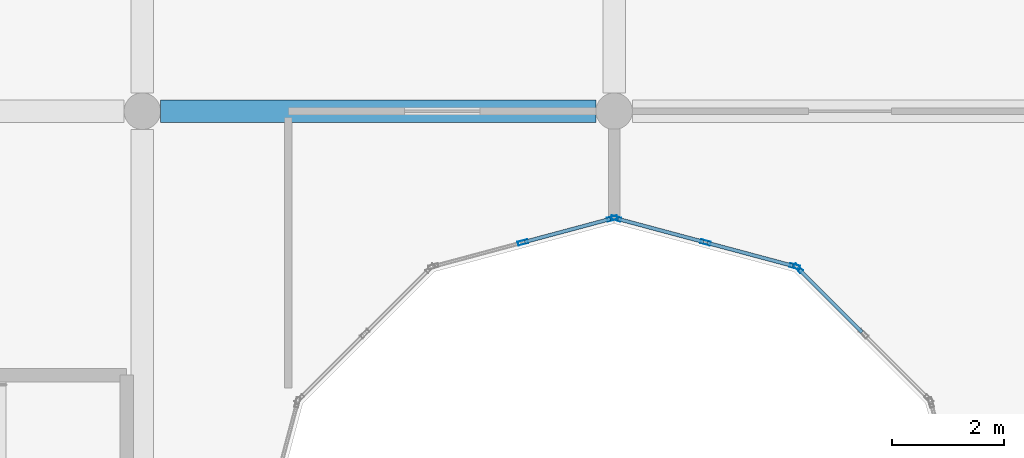
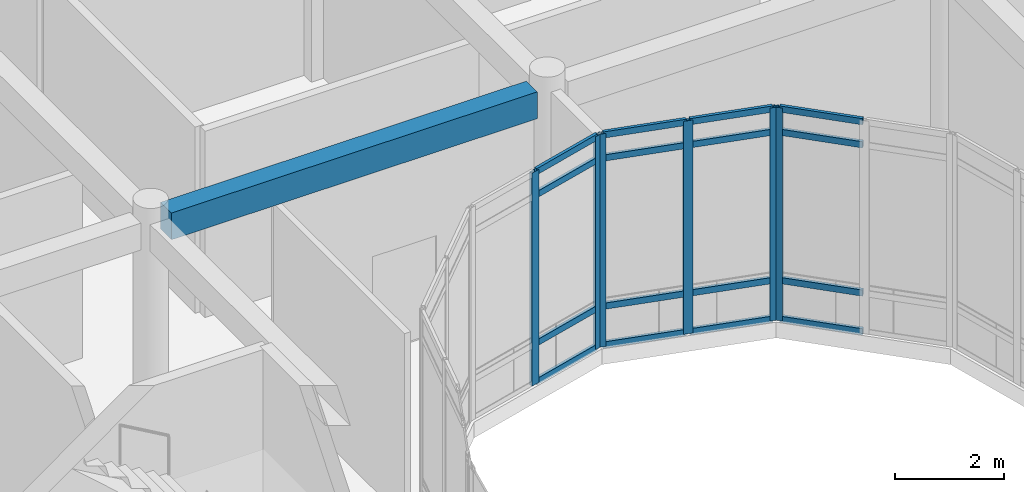
# One storey, part 53 of 134: 22 members, 1 beam, 3 elements without a shape of their own.
"""IFC4 building model written with IfcOpenShell, lengths in metres."""

from ifc_helpers import new_model, si_unit, direction, frame, origin, origin_2d, place, context, subcontext, project, spatial, rectangle, hollow_rectangle, extrude, material, layer, layer_set, material_profile, profile_set, type_object, element, aggregate, save


model = new_model("IFC4")

# Units and contexts
model_context = context("Model", 3, precision=1e-05, world=origin(), true_north=direction((0.0, 1.0)))
body_context = subcontext(model_context, "Body", "Model", "MODEL_VIEW")
ifc_project = project(units=[si_unit("LENGTHUNIT", "METRE"), si_unit("AREAUNIT", "SQUARE_METRE"), si_unit("VOLUMEUNIT", "CUBIC_METRE"), si_unit("PLANEANGLEUNIT", "RADIAN"), si_unit("MASSUNIT", "GRAM", prefix="KILO")], contexts=[model_context])

# Site, building, storey
site_placement = place(None, origin())
site = spatial("IfcSite", under=ifc_project, at=site_placement, CompositionType="ELEMENT")
building_placement = place(site_placement, origin())
building = spatial("IfcBuilding", under=site, at=building_placement, Name="Bramfleet General Hospital", CompositionType="ELEMENT")
storey_placement = place(building_placement, frame((0.0, 0.0, 9.300048828125)))
storey = spatial("IfcBuildingStorey", under=building, at=storey_placement, Name="L02", CompositionType="ELEMENT", Elevation=9.300048828125)

# Beam
ifc_material_1 = material(Name="Concrete C35/45", Category="concrete")
ifc_material_profile_1 = material_profile(ifc_material_1, rectangle(XDim=0.39990234375, YDim=0.60009765625, at=origin_2d()), Name="RC BM 600x400")
ifc_profile_set_1 = profile_set([ifc_material_profile_1], Name="Concrete C35/45")
beam_type = type_object("IfcBeamType", Name="BM-RC600", PredefinedType="BEAM", material=ifc_profile_set_1)
beam_placement = place(storey_placement, frame((109.52490234375, 75.60009765625, 4.47998046875), z_axis=(1.0, 0.0, 0.0), x_axis=(0.0, 1.0, 0.0)))
element("IfcBeam", 1, at=beam_placement, inside=storey, type_object=beam_type, Name="L02 Grid Beam X 13-09", PredefinedType="BEAM", context=body_context, shape_type="SweptSolid", body=[
    extrude(rectangle(XDim=0.39990234375, YDim=0.60009765625, at=origin_2d()), origin(), (0.0, 0.0, 1.0), 7.75),
])

# Curtain wall, member
ifc_material_2 = material(Name="Anodised aluminium and low-E triple glazing", Category="aluminium")
ifc_layer_1 = layer(ifc_material_2, 0.179931640625, Name="CWT-CW-12")
ifc_layer_set_1 = layer_set([ifc_layer_1], Name="Anodised aluminium and low-E triple glazing")
curtain_wall_type_1 = type_object("IfcCurtainWallType", Name="CWT-CW-12", PredefinedType="USERDEFINED", material=ifc_layer_set_1)
curtain_wall_1_placement = place(storey_placement, origin())
curtain_wall_1 = element("IfcCurtainWall", 2, at=curtain_wall_1_placement, inside=storey, type_object=curtain_wall_type_1, Name="L02 East Laboratory Light Court Curtain Wall 8.1", ObjectType="Stick curtain wall", PredefinedType="USERDEFINED")
ifc_material_3 = material(Name="Anodised aluminium EN AW-6060", Category="aluminium")
ifc_material_profile_2 = material_profile(ifc_material_3, hollow_rectangle(XDim=0.070068359375, YDim=0.179931640625, WallThickness=0.00390625, at=origin_2d()), Name="ALU 180x70x4.0")
ifc_profile_set_2 = profile_set([ifc_material_profile_2], Name="Anodised aluminium EN AW-6060")
member_type_1 = type_object("IfcMemberType", Name="CWM-ALU180", PredefinedType="MULLION", material=ifc_profile_set_2)
member_1_placement = place(storey_placement, frame((120.874755859375, 72.80419921875, 0.0), z_axis=(0.0, 0.0, 1.0), x_axis=(-0.707106781187, -0.707106781187, 0.0)))
member_1 = element("IfcMember", 3, at=member_1_placement, type_object=member_type_1, Name="CW-12 mullion 3", PredefinedType="MULLION", context=body_context, shape_type="SweptSolid", body=[
    extrude(hollow_rectangle(XDim=0.070068359375, YDim=0.179931640625, WallThickness=0.00390625, at=origin_2d()), origin(), (0.0, 0.0, 1.0), 4.77001953125),
])

# Curtain wall, members
ifc_layer_2 = layer(ifc_material_2, 0.179931640625, Name="CWT-CW-13")
ifc_layer_set_2 = layer_set([ifc_layer_2], Name="Anodised aluminium and low-E triple glazing")
curtain_wall_type_2 = type_object("IfcCurtainWallType", Name="CWT-CW-13", PredefinedType="USERDEFINED", material=ifc_layer_set_2)
curtain_wall_2_placement = place(storey_placement, origin())
curtain_wall_2 = element("IfcCurtainWall", 4, at=curtain_wall_2_placement, inside=storey, type_object=curtain_wall_type_2, Name="L02 East Laboratory Light Court Curtain Wall 9.1", ObjectType="Stick curtain wall", PredefinedType="USERDEFINED")
member_2_placement = place(storey_placement, frame((120.816162109375, 72.838134765625, 0.0), z_axis=(0.0, 0.0, 1.0), x_axis=(-0.258864833085, -0.965913556273, 0.0)))
member_2 = element("IfcMember", 5, at=member_2_placement, type_object=member_type_1, Name="CW-13 mullion 1", PredefinedType="MULLION", context=body_context, shape_type="SweptSolid", body=[
    extrude(hollow_rectangle(XDim=0.070068359375, YDim=0.179931640625, WallThickness=0.00390625, at=origin_2d()), origin(), (0.0, 0.0, 1.0), 4.77001953125),
])
member_3_placement = place(storey_placement, frame((119.22509765625, 73.264404296875, 0.0), z_axis=(0.0, 0.0, 1.0), x_axis=(-0.258864833085, -0.965913556273, 0.0)))
member_3 = element("IfcMember", 6, at=member_3_placement, type_object=member_type_1, Name="CW-13 mullion 2", PredefinedType="MULLION", context=body_context, shape_type="SweptSolid", body=[
    extrude(hollow_rectangle(XDim=0.070068359375, YDim=0.179931640625, WallThickness=0.00390625, at=origin_2d()), origin(), (0.0, 0.0, 1.0), 4.77001953125),
])
member_4_placement = place(storey_placement, frame((117.6337890625, 73.69091796875, 0.0), z_axis=(0.0, 0.0, 1.0), x_axis=(-0.258864833085, -0.965913556273, 0.0)))
member_4 = element("IfcMember", 7, at=member_4_placement, type_object=member_type_1, Name="CW-13 mullion 3", PredefinedType="MULLION", context=body_context, shape_type="SweptSolid", body=[
    extrude(hollow_rectangle(XDim=0.070068359375, YDim=0.179931640625, WallThickness=0.00390625, at=origin_2d()), origin(), (0.0, 0.0, 1.0), 4.77001953125),
])

ifc_layer_3 = layer(ifc_material_2, 0.179931640625, Name="CWT-CW-14")
ifc_layer_set_3 = layer_set([ifc_layer_3], Name="Anodised aluminium and low-E triple glazing")
curtain_wall_type_3 = type_object("IfcCurtainWallType", Name="CWT-CW-14", PredefinedType="USERDEFINED", material=ifc_layer_set_3)
curtain_wall_3_placement = place(storey_placement, origin())
curtain_wall_3 = element("IfcCurtainWall", 8, at=curtain_wall_3_placement, inside=storey, type_object=curtain_wall_type_3, Name="L02 East Laboratory Light Court Curtain Wall 10.1", ObjectType="Stick curtain wall", PredefinedType="USERDEFINED")
member_5_placement = place(storey_placement, frame((117.566162109375, 73.69091796875, 0.0), z_axis=(0.0, 0.0, 1.0), x_axis=(0.258864833085, -0.965913556273, 0.0)))
member_5 = element("IfcMember", 9, at=member_5_placement, type_object=member_type_1, Name="CW-14 mullion 1", PredefinedType="MULLION", context=body_context, shape_type="SweptSolid", body=[
    extrude(hollow_rectangle(XDim=0.070068359375, YDim=0.179931640625, WallThickness=0.00390625, at=origin_2d()), origin(), (0.0, 0.0, 1.0), 4.77001953125),
])
member_6_placement = place(storey_placement, frame((115.97509765625, 73.264404296875, 0.0), z_axis=(0.0, 0.0, 1.0), x_axis=(0.258864833085, -0.965913556273, 0.0)))
member_6 = element("IfcMember", 10, at=member_6_placement, type_object=member_type_1, Name="CW-14 mullion 2", PredefinedType="MULLION", context=body_context, shape_type="SweptSolid", body=[
    extrude(hollow_rectangle(XDim=0.070068359375, YDim=0.179931640625, WallThickness=0.00390625, at=origin_2d()), origin(), (0.0, 0.0, 1.0), 4.77001953125),
])

# Member
ifc_material_profile_3 = material_profile(ifc_material_3, hollow_rectangle(XDim=0.06494140625, YDim=0.139892578125, WallThickness=0.00390625, at=origin_2d()), Name="ALU 140x65x4.0")
ifc_profile_set_3 = profile_set([ifc_material_profile_3], Name="Anodised aluminium EN AW-6060")
member_type_2 = type_object("IfcMemberType", Name="CWT-ALU140", PredefinedType="USERDEFINED", material=ifc_profile_set_3)
member_7_placement = place(storey_placement, frame((122.0146484375, 71.664306640625, 0.032470703125), z_axis=(-0.707106781187, 0.707106781187, 0.0), x_axis=(-0.707106781187, -0.707106781187, 0.0)))
member_7 = element("IfcMember", 11, at=member_7_placement, type_object=member_type_2, Name="CW-12 transom 2.1", ObjectType="TRANSOM", PredefinedType="USERDEFINED", context=body_context, shape_type="SweptSolid", body=[
    extrude(hollow_rectangle(XDim=0.06494140625, YDim=0.139892578125, WallThickness=0.00390625, at=origin_2d()), origin(), (0.0, 0.0, 1.0), 1.5771484375),
])

member_8_placement = place(storey_placement, frame((122.0146484375, 71.664306640625, 0.89990234375), z_axis=(-0.707106781187, 0.707106781187, 0.0), x_axis=(-0.707106781187, -0.707106781187, 0.0)))
member_8 = element("IfcMember", 12, at=member_8_placement, type_object=member_type_2, Name="CW-12 transom 2.2", ObjectType="TRANSOM", PredefinedType="USERDEFINED", context=body_context, shape_type="SweptSolid", body=[
    extrude(hollow_rectangle(XDim=0.06494140625, YDim=0.139892578125, WallThickness=0.00390625, at=origin_2d()), origin(), (0.0, 0.0, 1.0), 1.5771484375),
])

member_9_placement = place(storey_placement, frame((122.0146484375, 71.664306640625, 4.219970703125), z_axis=(-0.707106781187, 0.707106781187, 0.0), x_axis=(-0.707106781187, -0.707106781187, 0.0)))
member_9 = element("IfcMember", 13, at=member_9_placement, type_object=member_type_2, Name="CW-12 transom 2.3", ObjectType="TRANSOM", PredefinedType="USERDEFINED", context=body_context, shape_type="SweptSolid", body=[
    extrude(hollow_rectangle(XDim=0.06494140625, YDim=0.139892578125, WallThickness=0.00390625, at=origin_2d()), origin(), (0.0, 0.0, 1.0), 1.5771484375),
])

member_10_placement = place(storey_placement, frame((122.0146484375, 71.664306640625, 4.737548828125), z_axis=(-0.707106781187, 0.707106781187, 0.0), x_axis=(-0.707106781187, -0.707106781187, 0.0)))
member_10 = element("IfcMember", 14, at=member_10_placement, type_object=member_type_2, Name="CW-12 transom 2.4", ObjectType="TRANSOM", PredefinedType="USERDEFINED", context=body_context, shape_type="SweptSolid", body=[
    extrude(hollow_rectangle(XDim=0.06494140625, YDim=0.139892578125, WallThickness=0.00390625, at=origin_2d()), origin(), (0.0, 0.0, 1.0), 1.5771484375),
])

aggregate(curtain_wall_1, [member_1, member_7, member_8, member_9, member_10])

member_11_placement = place(storey_placement, frame((120.782470703125, 72.84716796875, 0.032470703125), z_axis=(-0.965936307862, 0.25877992417, 0.0), x_axis=(-0.25877992417, -0.965936307862, 0.0)))
member_11 = element("IfcMember", 15, at=member_11_placement, type_object=member_type_2, Name="CW-13 transom 1.1", ObjectType="TRANSOM", PredefinedType="USERDEFINED", context=body_context, shape_type="SweptSolid", body=[
    extrude(hollow_rectangle(XDim=0.06494140625, YDim=0.139892578125, WallThickness=0.00390625, at=origin_2d()), origin(), (0.0, 0.0, 1.0), 1.577392578125),
])

member_12_placement = place(storey_placement, frame((120.782470703125, 72.84716796875, 0.89990234375), z_axis=(-0.965936307862, 0.25877992417, 0.0), x_axis=(-0.25877992417, -0.965936307862, 0.0)))
member_12 = element("IfcMember", 16, at=member_12_placement, type_object=member_type_2, Name="CW-13 transom 1.2", ObjectType="TRANSOM", PredefinedType="USERDEFINED", context=body_context, shape_type="SweptSolid", body=[
    extrude(hollow_rectangle(XDim=0.06494140625, YDim=0.139892578125, WallThickness=0.00390625, at=origin_2d()), origin(), (0.0, 0.0, 1.0), 1.577392578125),
])

member_13_placement = place(storey_placement, frame((120.782470703125, 72.84716796875, 4.219970703125), z_axis=(-0.965936307862, 0.25877992417, 0.0), x_axis=(-0.25877992417, -0.965936307862, 0.0)))
member_13 = element("IfcMember", 17, at=member_13_placement, type_object=member_type_2, Name="CW-13 transom 1.3", ObjectType="TRANSOM", PredefinedType="USERDEFINED", context=body_context, shape_type="SweptSolid", body=[
    extrude(hollow_rectangle(XDim=0.06494140625, YDim=0.139892578125, WallThickness=0.00390625, at=origin_2d()), origin(), (0.0, 0.0, 1.0), 1.577392578125),
])

member_14_placement = place(storey_placement, frame((120.782470703125, 72.84716796875, 4.737548828125), z_axis=(-0.965936307862, 0.25877992417, 0.0), x_axis=(-0.25877992417, -0.965936307862, 0.0)))
member_14 = element("IfcMember", 18, at=member_14_placement, type_object=member_type_2, Name="CW-13 transom 1.4", ObjectType="TRANSOM", PredefinedType="USERDEFINED", context=body_context, shape_type="SweptSolid", body=[
    extrude(hollow_rectangle(XDim=0.06494140625, YDim=0.139892578125, WallThickness=0.00390625, at=origin_2d()), origin(), (0.0, 0.0, 1.0), 1.577392578125),
])

member_15_placement = place(storey_placement, frame((119.191162109375, 73.273681640625, 0.032470703125), z_axis=(-0.965925940868, 0.258818617489, 0.0), x_axis=(-0.258818617489, -0.965925940868, 0.0)))
member_15 = element("IfcMember", 19, at=member_15_placement, type_object=member_type_2, Name="CW-13 transom 2.1", ObjectType="TRANSOM", PredefinedType="USERDEFINED", context=body_context, shape_type="SweptSolid", body=[
    extrude(hollow_rectangle(XDim=0.06494140625, YDim=0.139892578125, WallThickness=0.00390625, at=origin_2d()), origin(), (0.0, 0.0, 1.0), 1.5771484375),
])

member_16_placement = place(storey_placement, frame((119.191162109375, 73.273681640625, 0.89990234375), z_axis=(-0.965925940868, 0.258818617489, 0.0), x_axis=(-0.258818617489, -0.965925940868, 0.0)))
member_16 = element("IfcMember", 20, at=member_16_placement, type_object=member_type_2, Name="CW-13 transom 2.2", ObjectType="TRANSOM", PredefinedType="USERDEFINED", context=body_context, shape_type="SweptSolid", body=[
    extrude(hollow_rectangle(XDim=0.06494140625, YDim=0.139892578125, WallThickness=0.00390625, at=origin_2d()), origin(), (0.0, 0.0, 1.0), 1.5771484375),
])

member_17_placement = place(storey_placement, frame((119.191162109375, 73.273681640625, 4.219970703125), z_axis=(-0.965925940868, 0.258818617489, 0.0), x_axis=(-0.258818617489, -0.965925940868, 0.0)))
member_17 = element("IfcMember", 21, at=member_17_placement, type_object=member_type_2, Name="CW-13 transom 2.3", ObjectType="TRANSOM", PredefinedType="USERDEFINED", context=body_context, shape_type="SweptSolid", body=[
    extrude(hollow_rectangle(XDim=0.06494140625, YDim=0.139892578125, WallThickness=0.00390625, at=origin_2d()), origin(), (0.0, 0.0, 1.0), 1.5771484375),
])

member_18_placement = place(storey_placement, frame((119.191162109375, 73.273681640625, 4.737548828125), z_axis=(-0.965925940868, 0.258818617489, 0.0), x_axis=(-0.258818617489, -0.965925940868, 0.0)))
member_18 = element("IfcMember", 22, at=member_18_placement, type_object=member_type_2, Name="CW-13 transom 2.4", ObjectType="TRANSOM", PredefinedType="USERDEFINED", context=body_context, shape_type="SweptSolid", body=[
    extrude(hollow_rectangle(XDim=0.06494140625, YDim=0.139892578125, WallThickness=0.00390625, at=origin_2d()), origin(), (0.0, 0.0, 1.0), 1.5771484375),
])

aggregate(curtain_wall_2, [member_2, member_3, member_4, member_11, member_12, member_13, member_14, member_15, member_16, member_17, member_18])

member_19_placement = place(storey_placement, frame((117.532470703125, 73.681884765625, 0.032470703125), z_axis=(-0.965936307862, -0.25877992417, 0.0), x_axis=(0.25877992417, -0.965936307862, 0.0)))
member_19 = element("IfcMember", 23, at=member_19_placement, type_object=member_type_2, Name="CW-14 transom 1.1", ObjectType="TRANSOM", PredefinedType="USERDEFINED", context=body_context, shape_type="SweptSolid", body=[
    extrude(hollow_rectangle(XDim=0.06494140625, YDim=0.139892578125, WallThickness=0.00390625, at=origin_2d()), origin(), (0.0, 0.0, 1.0), 1.577392578125),
])

member_20_placement = place(storey_placement, frame((117.532470703125, 73.681884765625, 0.89990234375), z_axis=(-0.965936307862, -0.25877992417, 0.0), x_axis=(0.25877992417, -0.965936307862, 0.0)))
member_20 = element("IfcMember", 24, at=member_20_placement, type_object=member_type_2, Name="CW-14 transom 1.2", ObjectType="TRANSOM", PredefinedType="USERDEFINED", context=body_context, shape_type="SweptSolid", body=[
    extrude(hollow_rectangle(XDim=0.06494140625, YDim=0.139892578125, WallThickness=0.00390625, at=origin_2d()), origin(), (0.0, 0.0, 1.0), 1.577392578125),
])

member_21_placement = place(storey_placement, frame((117.532470703125, 73.681884765625, 4.219970703125), z_axis=(-0.965936307862, -0.25877992417, 0.0), x_axis=(0.25877992417, -0.965936307862, 0.0)))
member_21 = element("IfcMember", 25, at=member_21_placement, type_object=member_type_2, Name="CW-14 transom 1.3", ObjectType="TRANSOM", PredefinedType="USERDEFINED", context=body_context, shape_type="SweptSolid", body=[
    extrude(hollow_rectangle(XDim=0.06494140625, YDim=0.139892578125, WallThickness=0.00390625, at=origin_2d()), origin(), (0.0, 0.0, 1.0), 1.577392578125),
])

member_22_placement = place(storey_placement, frame((117.532470703125, 73.681884765625, 4.737548828125), z_axis=(-0.965936307862, -0.25877992417, 0.0), x_axis=(0.25877992417, -0.965936307862, 0.0)))
member_22 = element("IfcMember", 26, at=member_22_placement, type_object=member_type_2, Name="CW-14 transom 1.4", ObjectType="TRANSOM", PredefinedType="USERDEFINED", context=body_context, shape_type="SweptSolid", body=[
    extrude(hollow_rectangle(XDim=0.06494140625, YDim=0.139892578125, WallThickness=0.00390625, at=origin_2d()), origin(), (0.0, 0.0, 1.0), 1.577392578125),
])

aggregate(curtain_wall_3, [member_5, member_6, member_19, member_20, member_21, member_22])

save(model, "model.ifc")
